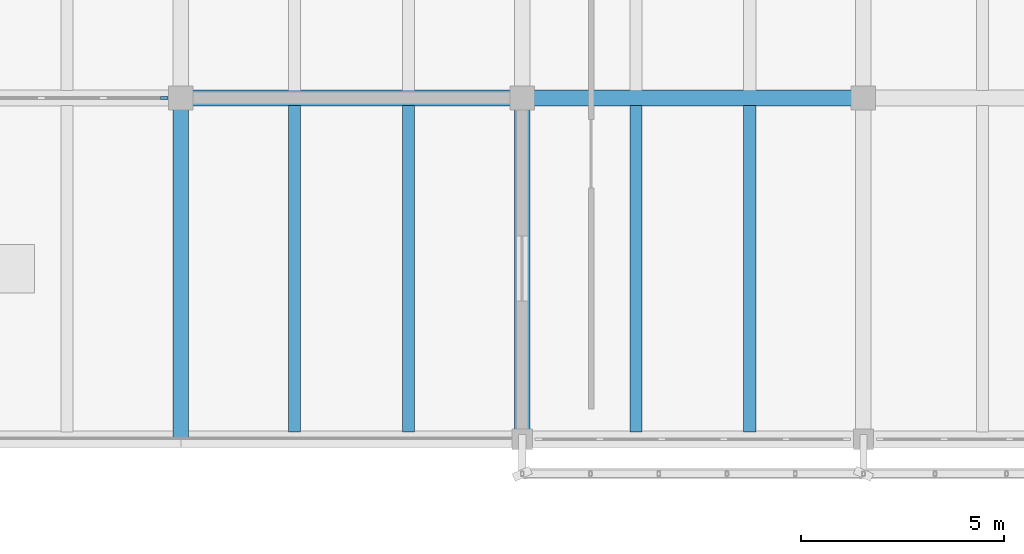
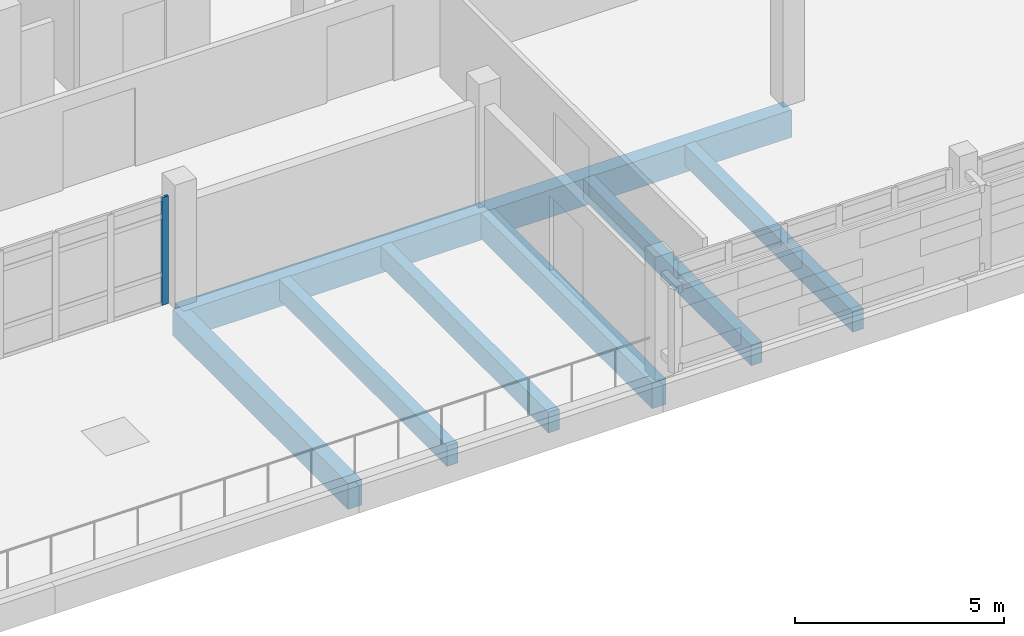
# One storey, part 11 of 50: 8 beams, 1 member, 1 element without a shape of its own.
"""IFC4 building model written with IfcOpenShell, lengths in metres."""

from ifc_helpers import new_model, si_unit, direction, frame, origin, origin_2d, place, context, subcontext, project, spatial, rectangle, extrude, material, material_profile, profile_set, type_object, element, aggregate, save


model = new_model("IFC4")

# Units and contexts
model_context = context("Model", 3, precision=1e-05, world=origin(), true_north=direction((0.0, 1.0)))
body_context = subcontext(model_context, "Body", "Model", "MODEL_VIEW")
ifc_project = project(units=[si_unit("LENGTHUNIT", "METRE"), si_unit("AREAUNIT", "SQUARE_METRE"), si_unit("VOLUMEUNIT", "CUBIC_METRE"), si_unit("PLANEANGLEUNIT", "RADIAN"), si_unit("MASSUNIT", "GRAM", prefix="KILO")], contexts=[model_context])

# Site, building, storey
site_placement = place(None, origin())
site = spatial("IfcSite", under=ifc_project, at=site_placement, CompositionType="ELEMENT")
building_placement = place(site_placement, origin())
building = spatial("IfcBuilding", under=site, at=building_placement, Name="Cinderway Yard Community Centre", CompositionType="ELEMENT")
storey_placement = place(building_placement, frame((0.0, 0.0, 12.89990234375)))
storey = spatial("IfcBuildingStorey", under=building, at=storey_placement, Name="L03", CompositionType="ELEMENT", Elevation=12.89990234375)

# Curtain wall, member
ifc_material_1 = material(Name="Aluminium 6063-T6", Category="aluminium")
curtain_wall_type = type_object("IfcCurtainWallType", Name="ENV-CW-TYPE-32", PredefinedType="USERDEFINED", material=ifc_material_1)
curtain_wall_placement = place(storey_placement, origin())
curtain_wall = element("IfcCurtainWall", 1, at=curtain_wall_placement, inside=storey, type_object=curtain_wall_type, Name="V4 Courtyard Curtain Wall ENV-CW-L03-HS-0162", ObjectType="GLAZED CURTAIN WALL", PredefinedType="USERDEFINED")
ifc_material_profile_1 = material_profile(ifc_material_1, rectangle(XDim=0.06494140625, YDim=0.179931640625, at=origin_2d()), Name="Aluminium 6063-T6")
ifc_profile_set_1 = profile_set([ifc_material_profile_1], Name="Aluminium 6063-T6")
member_type = type_object("IfcMemberType", Name="ENV-CW-MULL-180", PredefinedType="MULLION", material=ifc_profile_set_1)
member_placement = place(storey_placement, frame((57.989990234375, 98.39990234375, 0.0), z_axis=(0.0, 0.0, 1.0), x_axis=(0.0, 1.0, 0.0)))
member = element("IfcMember", 2, at=member_placement, type_object=member_type, Name="CW-32 mullion 6", PredefinedType="MULLION", context=body_context, shape_type="SweptSolid", body=[
    extrude(rectangle(XDim=0.06494140625, YDim=0.179931640625, at=origin_2d()), origin(), (0.0, 0.0, 1.0), 3.150146484375),
])
aggregate(curtain_wall, [member])

# Beams
ifc_material_2 = material(Name="Concrete C35/45", Category="concrete")
ifc_material_profile_2 = material_profile(ifc_material_2, rectangle(XDim=0.300048828125, YDim=0.60009765625, at=origin_2d()), Name="Concrete C35/45")
ifc_profile_set_2 = profile_set([ifc_material_profile_2], Name="Concrete C35/45")
beam_type_1 = type_object("IfcBeamType", Name="STR-BM-RC300X600", PredefinedType="JOIST", material=ifc_profile_set_2)
for number, where, z_axis, x_axis, name in (
    (3, (61.199951171875, 90.181884765625, -0.539794921875), (0.0, 1.0, 0.0), (-1.0, 0.0, 0.0), "Secondary joist STR-BM-L03-BJ02-0762"),
    (4, (64.0, 90.181884765625, -0.539794921875), (0.0, 1.0, 0.0), (-1.0, 0.0, 0.0), "Secondary joist STR-BM-L03-BJ02-0763"),
    (5, (69.60009765625, 90.181884765625, -0.539794921875), (0.0, 1.0, 0.0), (-1.0, 0.0, 0.0), "Secondary joist STR-BM-L03-BJ02-0766"),
    (6, (72.39990234375, 90.181884765625, -0.539794921875), (0.0, 1.0, 0.0), (-1.0, 0.0, 0.0), "Secondary joist STR-BM-L03-BJ02-0767"),
):
    element("IfcBeam", number, at=place(storey_placement, frame(where, z_axis=z_axis, x_axis=x_axis)), inside=storey, type_object=beam_type_1, Name=name, PredefinedType="JOIST", context=body_context, shape_type="SweptSolid", body=[
        extrude(rectangle(XDim=0.300048828125, YDim=0.60009765625, at=origin_2d()), origin(), (0.0, 0.0, 1.0), 8.0361328125),
    ])
ifc_material_profile_3 = material_profile(ifc_material_2, rectangle(XDim=0.3798828125, YDim=0.75, at=origin_2d()), Name="Concrete C35/45")
ifc_profile_set_3 = profile_set([ifc_material_profile_3], Name="Concrete C35/45")
beam_type_2 = type_object("IfcBeamType", Name="STR-BM-RC380X750", PredefinedType="BEAM", material=ifc_profile_set_3)
for number, where, z_axis, x_axis, name in (
    (7, (58.39990234375, 90.0, -0.614990234375), (0.0, 1.0, 0.0), (-1.0, 0.0, 0.0), "Transverse girder STR-BM-L03-BG06-0720"),
    (8, (66.800048828125, 90.0, -0.614990234375), (0.0, 1.0, 0.0), (-1.0, 0.0, 0.0), "Transverse girder STR-BM-L03-BG06-0723"),
):
    element("IfcBeam", number, at=place(storey_placement, frame(where, z_axis=z_axis, x_axis=x_axis)), inside=storey, type_object=beam_type_2, Name=name, PredefinedType="BEAM", context=body_context, shape_type="SweptSolid", body=[
        extrude(rectangle(XDim=0.3798828125, YDim=0.75, at=origin_2d()), origin(), (0.0, 0.0, 1.0), 8.39990234375),
    ])
ifc_material_3 = material(Name="Concrete C40/50", Category="concrete")
ifc_material_profile_4 = material_profile(ifc_material_3, rectangle(XDim=0.39990234375, YDim=0.800048828125, at=origin_2d()), Name="Concrete C40/50")
ifc_profile_set_4 = profile_set([ifc_material_profile_4], Name="Concrete C40/50")
beam_type_3 = type_object("IfcBeamType", Name="STR-BM-RC400X800", PredefinedType="BEAM", material=ifc_profile_set_4)
beam_1_placement = place(storey_placement, frame((58.39990234375, 98.39990234375, -0.639892578125), z_axis=(1.0, 0.0, 0.0), x_axis=(0.0, 1.0, 0.0)))
element("IfcBeam", 9, at=beam_1_placement, inside=storey, type_object=beam_type_3, Name="Primary girder STR-BM-L03-BG05-0683", PredefinedType="BEAM", context=body_context, shape_type="SweptSolid", body=[
    extrude(rectangle(XDim=0.39990234375, YDim=0.800048828125, at=origin_2d()), origin(), (0.0, 0.0, 1.0), 8.400146484375),
])
beam_2_placement = place(storey_placement, frame((66.800048828125, 98.39990234375, -0.639892578125), z_axis=(1.0, 0.0, 0.0), x_axis=(0.0, 1.0, 0.0)))
element("IfcBeam", 10, at=beam_2_placement, inside=storey, type_object=beam_type_3, Name="Primary girder STR-BM-L03-BG05-0684", PredefinedType="BEAM", context=body_context, shape_type="SweptSolid", body=[
    extrude(rectangle(XDim=0.39990234375, YDim=0.800048828125, at=origin_2d()), origin(), (0.0, 0.0, 1.0), 8.39990234375),
])

save(model, "model.ifc")
